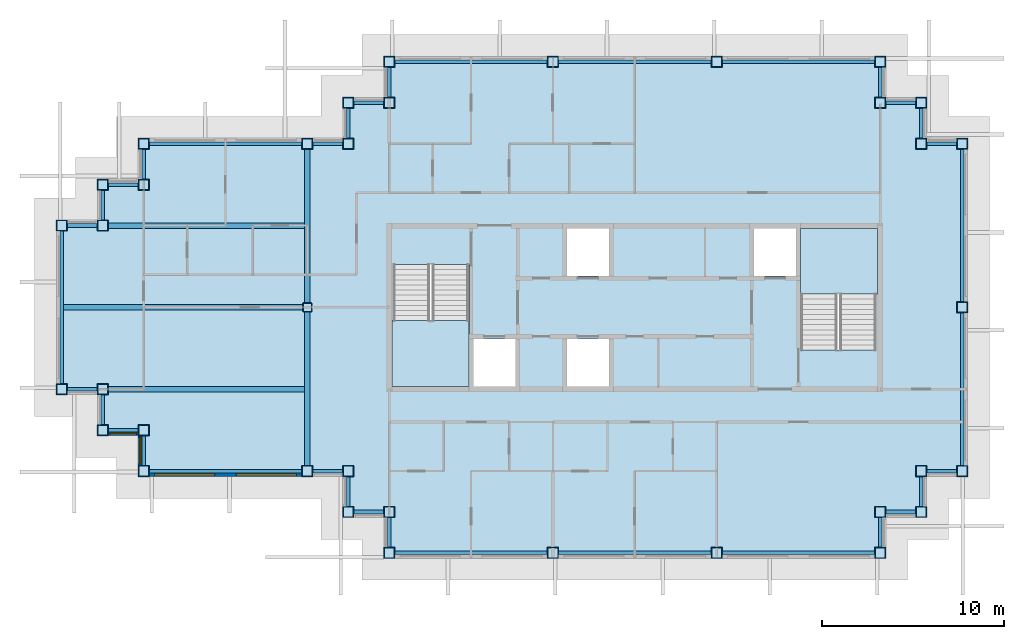
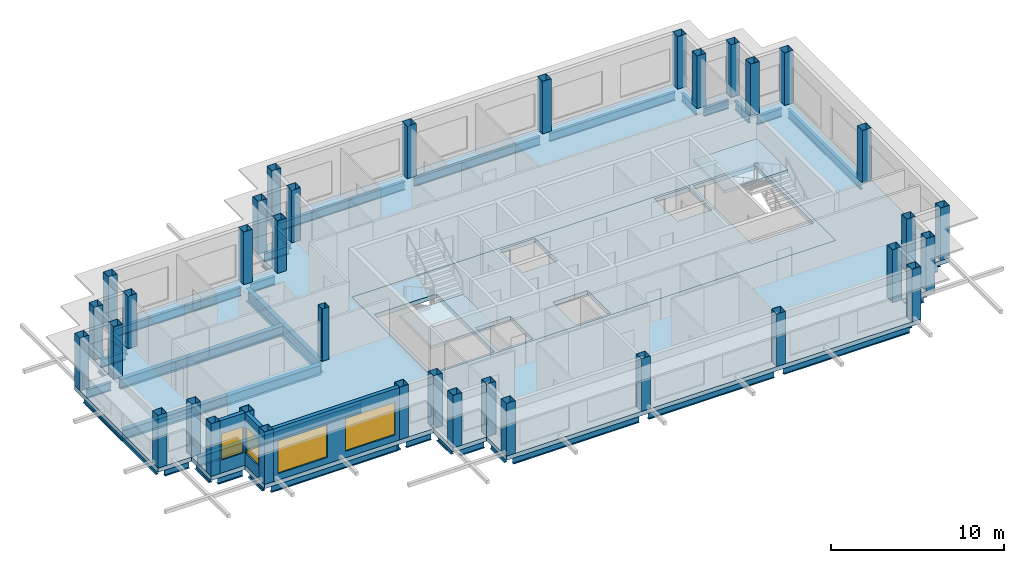
# One storey, part 1 of 11: 40 beams, 36 columns, 4 slabs, 4 windows, 3 walls, 4 openings, 2 elements without a shape of their own.
"""IFC4 building model written with IfcOpenShell, lengths in metres."""

from ifc_helpers import new_model, si_unit, direction, frame, frame_2d, origin, origin_2d, place, context, subcontext, project, spatial, polyline, rectangle, hollow_rectangle, i_section, outline, extrude, material, layer, layer_set, material_profile, profile_set, type_object, element, fill, aggregate, save


model = new_model("IFC4")

# Units and contexts
model_context = context("Model", 3, precision=1e-05, world=origin(), true_north=direction((0.0, 1.0)))
body_context = subcontext(model_context, "Body", "Model", "MODEL_VIEW")
ifc_project = project(units=[si_unit("LENGTHUNIT", "METRE"), si_unit("AREAUNIT", "SQUARE_METRE"), si_unit("VOLUMEUNIT", "CUBIC_METRE"), si_unit("PLANEANGLEUNIT", "RADIAN"), si_unit("MASSUNIT", "GRAM", prefix="KILO")], contexts=[model_context])

# Site, building, storey
site_placement = place(None, origin())
site = spatial("IfcSite", under=ifc_project, at=site_placement, CompositionType="ELEMENT")
building_placement = place(site_placement, origin())
building = spatial("IfcBuilding", under=site, at=building_placement, Name="Caravel Reach Hotel and Residences", CompositionType="ELEMENT")
storey_placement = place(building_placement, frame((0.0, 0.0, 249.0)))
storey = spatial("IfcBuildingStorey", under=building, at=storey_placement, Name="L63", CompositionType="ELEMENT", Elevation=249.0)

# Columns
ifc_material_1 = material(Name="Concrete-filled steel tube Q390B with Concrete C60 infill", Category="concrete")
ifc_material_profile_1 = material_profile(ifc_material_1, hollow_rectangle(XDim=0.5, YDim=0.5, WallThickness=0.01611328125, InnerFilletRadius=0.031982421875, OuterFilletRadius=0.048095703125, at=origin_2d()), Name="RHS 500x500x16")
ifc_profile_set_1 = profile_set([ifc_material_profile_1], Name="Concrete-filled steel tube Q390B with Concrete C60 infill")
column_type_1 = type_object("IfcColumnType", Name="CFT 500x500 Q390B C60", PredefinedType="COLUMN", material=ifc_profile_set_1)
column_placement = place(storey_placement, frame((13.5, 27.0, 0.0), z_axis=(0.0, 0.0, 1.0), x_axis=(1.0, 0.0, 0.0)))
element("IfcColumn", 1, at=column_placement, inside=storey, type_object=column_type_1, Name="C9 column", PredefinedType="COLUMN", context=body_context, shape_type="SweptSolid", body=[
    extrude(hollow_rectangle(XDim=0.5, YDim=0.5, WallThickness=0.01611328125, InnerFilletRadius=0.031982421875, OuterFilletRadius=0.048095703125, at=origin_2d()), origin(), (0.0, 0.0, 1.0), 3.699951171875),
])
ifc_material_2 = material(Name="Concrete-filled steel tube Q390B with Concrete C60 infill", Category="concrete")
ifc_material_profile_2 = material_profile(ifc_material_2, hollow_rectangle(XDim=0.60009765625, YDim=0.60009765625, WallThickness=0.02001953125, at=origin_2d()), Name="RHS 600x600x20")
ifc_profile_set_2 = profile_set([ifc_material_profile_2], Name="Concrete-filled steel tube Q390B with Concrete C60 infill")
column_type_2 = type_object("IfcColumnType", Name="CFT 600x600 Q390B C60", PredefinedType="COLUMN", material=ifc_profile_set_2)
for number, where, z_axis, x_axis, name in (
    (2, (15.75, 18.0, 0.0), (0.0, 0.0, 1.0), (1.0, 0.0, 0.0), "C8 column"),
    (3, (15.75, 15.75, 0.0), (0.0, 0.0, 1.0), (1.0, 0.0, 0.0), "C8 column"),
    (4, (18.0, 15.75, 0.0), (0.0, 0.0, 1.0), (1.0, 0.0, 0.0), "C8 column"),
    (5, (18.0, 13.5, 0.0), (0.0, 0.0, 1.0), (1.0, 0.0, 0.0), "C8 column"),
    (6, (27.0, 13.5, 0.0), (0.0, 0.0, 1.0), (1.0, 0.0, 0.0), "C8 column"),
    (7, (36.0, 13.5, 0.0), (0.0, 0.0, 1.0), (1.0, 0.0, 0.0), "C8 column"),
    (8, (45.0, 13.5, 0.0), (0.0, 0.0, 1.0), (1.0, 0.0, 0.0), "C8 column"),
    (9, (45.0, 15.75, 0.0), (0.0, 0.0, 1.0), (1.0, 0.0, 0.0), "C8 column"),
    (10, (47.25, 15.75, 0.0), (0.0, 0.0, 1.0), (1.0, 0.0, 0.0), "C8 column"),
    (11, (47.25, 18.0, 0.0), (0.0, 0.0, 1.0), (1.0, 0.0, 0.0), "C8 column"),
    (12, (49.5, 18.0, 0.0), (0.0, 0.0, 1.0), (1.0, 0.0, 0.0), "C8 column"),
    (13, (49.5, 27.0, 0.0), (0.0, 0.0, 1.0), (1.0, 0.0, 0.0), "C8 column"),
    (14, (49.5, 36.0, 0.0), (0.0, 0.0, 1.0), (1.0, 0.0, 0.0), "C8 column"),
    (15, (47.25, 36.0, 0.0), (0.0, 0.0, 1.0), (1.0, 0.0, 0.0), "C8 column"),
    (16, (47.25, 38.25, 0.0), (0.0, 0.0, 1.0), (1.0, 0.0, 0.0), "C8 column"),
    (17, (45.0, 38.25, 0.0), (0.0, 0.0, 1.0), (1.0, 0.0, 0.0), "C8 column"),
    (18, (45.0, 40.5, 0.0), (0.0, 0.0, 1.0), (1.0, 0.0, 0.0), "C8 column"),
    (19, (36.0, 40.5, 0.0), (0.0, 0.0, 1.0), (1.0, 0.0, 0.0), "C8 column"),
    (20, (27.0, 40.5, 0.0), (0.0, 0.0, 1.0), (1.0, 0.0, 0.0), "C8 column"),
    (21, (18.0, 40.5, 0.0), (0.0, 0.0, 1.0), (1.0, 0.0, 0.0), "C8 column"),
    (22, (18.0, 38.25, 0.0), (0.0, 0.0, 1.0), (1.0, 0.0, 0.0), "C8 column"),
    (23, (15.75, 38.25, 0.0), (0.0, 0.0, 1.0), (1.0, 0.0, 0.0), "C8 column"),
    (24, (15.75, 36.0, 0.0), (0.0, 0.0, 1.0), (1.0, 0.0, 0.0), "C8 column"),
    (25, (13.5, 36.0, 0.0), (0.0, 0.0, 1.0), (1.0, 0.0, 0.0), "C8 column"),
    (26, (4.5, 36.0, 0.0), (0.0, 0.0, 1.0), (1.0, 0.0, 0.0), "C8 column"),
    (27, (4.5, 33.75, 0.0), (0.0, 0.0, 1.0), (1.0, 0.0, 0.0), "C8 column"),
    (28, (2.25, 33.75, 0.0), (0.0, 0.0, 1.0), (1.0, 0.0, 0.0), "C8 column"),
    (29, (2.25, 31.5, 0.0), (0.0, 0.0, 1.0), (1.0, 0.0, 0.0), "C8 column"),
    (30, (0.0, 31.5, 0.0), (0.0, 0.0, 1.0), (1.0, 0.0, 0.0), "C8 column"),
    (31, (0.0, 22.5, 0.0), (0.0, 0.0, 1.0), (1.0, 0.0, 0.0), "C8 column"),
    (32, (2.25, 22.5, 0.0), (0.0, 0.0, 1.0), (1.0, 0.0, 0.0), "C8 column"),
    (33, (2.25, 20.25, 0.0), (0.0, 0.0, 1.0), (1.0, 0.0, 0.0), "C8 column"),
    (34, (4.5, 20.25, 0.0), (0.0, 0.0, 1.0), (1.0, 0.0, 0.0), "C8 column"),
    (35, (4.5, 18.0, 0.0), (0.0, 0.0, 1.0), (1.0, 0.0, 0.0), "C8 column"),
    (36, (13.5, 18.0, 0.0), (0.0, 0.0, 1.0), (1.0, 0.0, 0.0), "C8 column"),
):
    element("IfcColumn", number, at=place(storey_placement, frame(where, z_axis=z_axis, x_axis=x_axis)), inside=storey, type_object=column_type_2, Name=name, PredefinedType="COLUMN", context=body_context, shape_type="SweptSolid", body=[
        extrude(hollow_rectangle(XDim=0.60009765625, YDim=0.60009765625, WallThickness=0.02001953125, at=origin_2d()), origin(), (0.0, 0.0, 1.0), 3.699951171875),
    ])

# Beams
ifc_material_3 = material(Name="Structural steel Q355B", Category="steel")
ifc_material_profile_3 = material_profile(ifc_material_3, i_section(OverallWidth=0.300048828125, OverallDepth=0.699951171875, WebThickness=0.012939453125, FlangeThickness=0.02392578125, FilletRadius=0.01806640625, at=origin_2d()), Name="HN 700x300x13x24")
ifc_profile_set_3 = profile_set([ifc_material_profile_3], Name="Structural steel Q355B")
beam_type_1 = type_object("IfcBeamType", Name="Beam HN 700x300x13x24", PredefinedType="BEAM", material=ifc_profile_set_3)
beam_1_placement = place(storey_placement, frame((13.39990234375, 22.5, -0.64990234375), z_axis=(-1.0, 0.0, 0.0), x_axis=(0.0, -1.0, 0.0)))
element("IfcBeam", 37, at=beam_1_placement, inside=storey, type_object=beam_type_1, Name="B2 HN 700x300x13x24", PredefinedType="BEAM", context=body_context, shape_type="SweptSolid", body=[
    extrude(i_section(OverallWidth=0.300048828125, OverallDepth=0.699951171875, WebThickness=0.012939453125, FlangeThickness=0.02392578125, FilletRadius=0.01806640625, at=origin_2d()), origin(), (0.0, 0.0, 1.0), 10.89990234375),
])
beam_2_placement = place(storey_placement, frame((13.300048828125, 27.0, -0.64990234375), z_axis=(-1.0, 0.0, 0.0), x_axis=(0.0, -1.0, 0.0)))
element("IfcBeam", 38, at=beam_2_placement, inside=storey, type_object=beam_type_1, Name="B2 HN 700x300x13x24", PredefinedType="BEAM", context=body_context, shape_type="SweptSolid", body=[
    extrude(i_section(OverallWidth=0.300048828125, OverallDepth=0.699951171875, WebThickness=0.012939453125, FlangeThickness=0.02392578125, FilletRadius=0.01806640625, at=origin_2d()), origin(), (0.0, 0.0, 1.0), 13.199951171875),
])
beam_3_placement = place(storey_placement, frame((13.39990234375, 31.5, -0.64990234375), z_axis=(-1.0, 0.0, 0.0), x_axis=(0.0, -1.0, 0.0)))
element("IfcBeam", 39, at=beam_3_placement, inside=storey, type_object=beam_type_1, Name="B2 HN 700x300x13x24", PredefinedType="BEAM", context=body_context, shape_type="SweptSolid", body=[
    extrude(i_section(OverallWidth=0.300048828125, OverallDepth=0.699951171875, WebThickness=0.012939453125, FlangeThickness=0.02392578125, FilletRadius=0.01806640625, at=origin_2d()), origin(), (0.0, 0.0, 1.0), 10.89990234375),
])
ifc_material_4 = material(Name="Structural steel Q355B", Category="steel")
ifc_material_profile_4 = material_profile(ifc_material_4, i_section(OverallWidth=0.300048828125, OverallDepth=0.89990234375, WebThickness=0.01611328125, FlangeThickness=0.028076171875, FilletRadius=0.01806640625, at=origin_2d()), Name="HN 900x300x16x28")
ifc_profile_set_4 = profile_set([ifc_material_profile_4], Name="Structural steel Q355B")
beam_type_2 = type_object("IfcBeamType", Name="Beam HN 900x300x16x28", PredefinedType="BEAM", material=ifc_profile_set_4)
for number, where, z_axis, x_axis, name in (
    (40, (13.5, 18.300048828125, -0.75), (0.0, 1.0, 0.0), (-1.0, 0.0, 0.0), "B3 HN 900x300x16x28"),
    (41, (13.5, 27.25, -0.75), (0.0, 1.0, 0.0), (-1.0, 0.0, 0.0), "B3 HN 900x300x16x28"),
):
    element("IfcBeam", number, at=place(storey_placement, frame(where, z_axis=z_axis, x_axis=x_axis)), inside=storey, type_object=beam_type_2, Name=name, PredefinedType="BEAM", context=body_context, shape_type="SweptSolid", body=[
        extrude(i_section(OverallWidth=0.300048828125, OverallDepth=0.89990234375, WebThickness=0.01611328125, FlangeThickness=0.028076171875, FilletRadius=0.01806640625, at=origin_2d()), origin(), (0.0, 0.0, 1.0), 8.449951171875),
    ])
ifc_material_5 = material(Name="Structural steel Q355B", Category="steel")
ifc_material_profile_5 = material_profile(ifc_material_5, i_section(OverallWidth=0.199951171875, OverallDepth=0.60009765625, WebThickness=0.010986328125, FlangeThickness=0.01708984375, FilletRadius=0.012939453125, at=origin_2d()), Name="HN 600x200x11x17")
ifc_profile_set_5 = profile_set([ifc_material_profile_5], Name="Structural steel Q355B")
beam_type_3 = type_object("IfcBeamType", Name="Spandrel beam HN 600x200x11x17", PredefinedType="SPANDREL", material=ifc_profile_set_5)
for number, where, z_axis, x_axis, name in (
    (42, (15.75, 17.699951171875, -0.60009765625), (0.0, -1.0, 0.0), (1.0, 0.0, 0.0), "SP1 HN 600x200x11x17"),
    (43, (16.050048828125, 15.75, -0.60009765625), (1.0, 0.0, 0.0), (0.0, 1.0, 0.0), "SP1 HN 600x200x11x17"),
    (44, (18.0, 15.449951171875, -0.60009765625), (0.0, -1.0, 0.0), (1.0, 0.0, 0.0), "SP1 HN 600x200x11x17"),
):
    element("IfcBeam", number, at=place(storey_placement, frame(where, z_axis=z_axis, x_axis=x_axis)), inside=storey, type_object=beam_type_3, Name=name, PredefinedType="SPANDREL", context=body_context, shape_type="SweptSolid", body=[
        extrude(i_section(OverallWidth=0.199951171875, OverallDepth=0.60009765625, WebThickness=0.010986328125, FlangeThickness=0.01708984375, FilletRadius=0.012939453125, at=origin_2d()), origin(), (0.0, 0.0, 1.0), 1.64990234375),
    ])
for number, where, z_axis, x_axis, name in (
    (45, (18.300048828125, 13.5, -0.60009765625), (1.0, 0.0, 0.0), (0.0, 1.0, 0.0), "SP1 HN 600x200x11x17"),
    (46, (27.300048828125, 13.5, -0.60009765625), (1.0, 0.0, 0.0), (0.0, 1.0, 0.0), "SP1 HN 600x200x11x17"),
    (47, (36.300048828125, 13.5, -0.60009765625), (1.0, 0.0, 0.0), (0.0, 1.0, 0.0), "SP1 HN 600x200x11x17"),
):
    element("IfcBeam", number, at=place(storey_placement, frame(where, z_axis=z_axis, x_axis=x_axis)), inside=storey, type_object=beam_type_3, Name=name, PredefinedType="SPANDREL", context=body_context, shape_type="SweptSolid", body=[
        extrude(i_section(OverallWidth=0.199951171875, OverallDepth=0.60009765625, WebThickness=0.010986328125, FlangeThickness=0.01708984375, FilletRadius=0.012939453125, at=origin_2d()), origin(), (0.0, 0.0, 1.0), 8.39990234375),
    ])
for number, where, z_axis, x_axis, name in (
    (48, (45.0, 13.800048828125, -0.60009765625), (0.0, 1.0, 0.0), (-1.0, 0.0, 0.0), "SP1 HN 600x200x11x17"),
    (49, (45.300048828125, 15.75, -0.60009765625), (1.0, 0.0, 0.0), (0.0, 1.0, 0.0), "SP1 HN 600x200x11x17"),
    (50, (47.25, 16.050048828125, -0.60009765625), (0.0, 1.0, 0.0), (-1.0, 0.0, 0.0), "SP1 HN 600x200x11x17"),
    (51, (47.550048828125, 18.0, -0.60009765625), (1.0, 0.0, 0.0), (0.0, 1.0, 0.0), "SP1 HN 600x200x11x17"),
):
    element("IfcBeam", number, at=place(storey_placement, frame(where, z_axis=z_axis, x_axis=x_axis)), inside=storey, type_object=beam_type_3, Name=name, PredefinedType="SPANDREL", context=body_context, shape_type="SweptSolid", body=[
        extrude(i_section(OverallWidth=0.199951171875, OverallDepth=0.60009765625, WebThickness=0.010986328125, FlangeThickness=0.01708984375, FilletRadius=0.012939453125, at=origin_2d()), origin(), (0.0, 0.0, 1.0), 1.64990234375),
    ])
for number, where, z_axis, x_axis, name in (
    (52, (49.5, 18.300048828125, -0.60009765625), (0.0, 1.0, 0.0), (-1.0, 0.0, 0.0), "SP1 HN 600x200x11x17"),
    (53, (49.5, 27.300048828125, -0.60009765625), (0.0, 1.0, 0.0), (-1.0, 0.0, 0.0), "SP1 HN 600x200x11x17"),
):
    element("IfcBeam", number, at=place(storey_placement, frame(where, z_axis=z_axis, x_axis=x_axis)), inside=storey, type_object=beam_type_3, Name=name, PredefinedType="SPANDREL", context=body_context, shape_type="SweptSolid", body=[
        extrude(i_section(OverallWidth=0.199951171875, OverallDepth=0.60009765625, WebThickness=0.010986328125, FlangeThickness=0.01708984375, FilletRadius=0.012939453125, at=origin_2d()), origin(), (0.0, 0.0, 1.0), 8.39990234375),
    ])
for number, where, z_axis, x_axis, name in (
    (54, (49.199951171875, 36.0, -0.60009765625), (-1.0, 0.0, 0.0), (0.0, -1.0, 0.0), "SP1 HN 600x200x11x17"),
    (55, (47.25, 36.300048828125, -0.60009765625), (0.0, 1.0, 0.0), (-1.0, 0.0, 0.0), "SP1 HN 600x200x11x17"),
    (56, (46.949951171875, 38.25, -0.60009765625), (-1.0, 0.0, 0.0), (0.0, -1.0, 0.0), "SP1 HN 600x200x11x17"),
    (57, (45.0, 38.550048828125, -0.60009765625), (0.0, 1.0, 0.0), (-1.0, 0.0, 0.0), "SP1 HN 600x200x11x17"),
):
    element("IfcBeam", number, at=place(storey_placement, frame(where, z_axis=z_axis, x_axis=x_axis)), inside=storey, type_object=beam_type_3, Name=name, PredefinedType="SPANDREL", context=body_context, shape_type="SweptSolid", body=[
        extrude(i_section(OverallWidth=0.199951171875, OverallDepth=0.60009765625, WebThickness=0.010986328125, FlangeThickness=0.01708984375, FilletRadius=0.012939453125, at=origin_2d()), origin(), (0.0, 0.0, 1.0), 1.64990234375),
    ])
for number, where, z_axis, x_axis, name in (
    (58, (44.699951171875, 40.5, -0.60009765625), (-1.0, 0.0, 0.0), (0.0, -1.0, 0.0), "SP1 HN 600x200x11x17"),
    (59, (35.699951171875, 40.5, -0.60009765625), (-1.0, 0.0, 0.0), (0.0, -1.0, 0.0), "SP1 HN 600x200x11x17"),
    (60, (26.699951171875, 40.5, -0.60009765625), (-1.0, 0.0, 0.0), (0.0, -1.0, 0.0), "SP1 HN 600x200x11x17"),
):
    element("IfcBeam", number, at=place(storey_placement, frame(where, z_axis=z_axis, x_axis=x_axis)), inside=storey, type_object=beam_type_3, Name=name, PredefinedType="SPANDREL", context=body_context, shape_type="SweptSolid", body=[
        extrude(i_section(OverallWidth=0.199951171875, OverallDepth=0.60009765625, WebThickness=0.010986328125, FlangeThickness=0.01708984375, FilletRadius=0.012939453125, at=origin_2d()), origin(), (0.0, 0.0, 1.0), 8.39990234375),
    ])
for number, where, z_axis, x_axis, name in (
    (61, (18.0, 40.199951171875, -0.60009765625), (0.0, -1.0, 0.0), (1.0, 0.0, 0.0), "SP1 HN 600x200x11x17"),
    (62, (17.699951171875, 38.25, -0.60009765625), (-1.0, 0.0, 0.0), (0.0, -1.0, 0.0), "SP1 HN 600x200x11x17"),
    (63, (15.75, 37.949951171875, -0.60009765625), (0.0, -1.0, 0.0), (1.0, 0.0, 0.0), "SP1 HN 600x200x11x17"),
    (64, (15.449951171875, 36.0, -0.60009765625), (-1.0, 0.0, 0.0), (0.0, -1.0, 0.0), "SP1 HN 600x200x11x17"),
):
    element("IfcBeam", number, at=place(storey_placement, frame(where, z_axis=z_axis, x_axis=x_axis)), inside=storey, type_object=beam_type_3, Name=name, PredefinedType="SPANDREL", context=body_context, shape_type="SweptSolid", body=[
        extrude(i_section(OverallWidth=0.199951171875, OverallDepth=0.60009765625, WebThickness=0.010986328125, FlangeThickness=0.01708984375, FilletRadius=0.012939453125, at=origin_2d()), origin(), (0.0, 0.0, 1.0), 1.64990234375),
    ])
beam_4_placement = place(storey_placement, frame((13.199951171875, 36.0, -0.60009765625), z_axis=(-1.0, 0.0, 0.0), x_axis=(0.0, -1.0, 0.0)))
element("IfcBeam", 65, at=beam_4_placement, inside=storey, type_object=beam_type_3, Name="SP1 HN 600x200x11x17", PredefinedType="SPANDREL", context=body_context, shape_type="SweptSolid", body=[
    extrude(i_section(OverallWidth=0.199951171875, OverallDepth=0.60009765625, WebThickness=0.010986328125, FlangeThickness=0.01708984375, FilletRadius=0.012939453125, at=origin_2d()), origin(), (0.0, 0.0, 1.0), 8.39990234375),
])
for number, where, z_axis, x_axis, name in (
    (66, (4.5, 35.699951171875, -0.60009765625), (0.0, -1.0, 0.0), (1.0, 0.0, 0.0), "SP1 HN 600x200x11x17"),
    (67, (4.199951171875, 33.75, -0.60009765625), (-1.0, 0.0, 0.0), (0.0, -1.0, 0.0), "SP1 HN 600x200x11x17"),
    (68, (2.25, 33.449951171875, -0.60009765625), (0.0, -1.0, 0.0), (1.0, 0.0, 0.0), "SP1 HN 600x200x11x17"),
    (69, (1.949951171875, 31.5, -0.60009765625), (-1.0, 0.0, 0.0), (0.0, -1.0, 0.0), "SP1 HN 600x200x11x17"),
):
    element("IfcBeam", number, at=place(storey_placement, frame(where, z_axis=z_axis, x_axis=x_axis)), inside=storey, type_object=beam_type_3, Name=name, PredefinedType="SPANDREL", context=body_context, shape_type="SweptSolid", body=[
        extrude(i_section(OverallWidth=0.199951171875, OverallDepth=0.60009765625, WebThickness=0.010986328125, FlangeThickness=0.01708984375, FilletRadius=0.012939453125, at=origin_2d()), origin(), (0.0, 0.0, 1.0), 1.64990234375),
    ])
beam_5_placement = place(storey_placement, frame((0.0, 31.199951171875, -0.60009765625), z_axis=(0.0, -1.0, 0.0), x_axis=(1.0, 0.0, 0.0)))
element("IfcBeam", 70, at=beam_5_placement, inside=storey, type_object=beam_type_3, Name="SP1 HN 600x200x11x17", PredefinedType="SPANDREL", context=body_context, shape_type="SweptSolid", body=[
    extrude(i_section(OverallWidth=0.199951171875, OverallDepth=0.60009765625, WebThickness=0.010986328125, FlangeThickness=0.01708984375, FilletRadius=0.012939453125, at=origin_2d()), origin(), (0.0, 0.0, 1.0), 8.39990234375),
])
for number, where, z_axis, x_axis, name in (
    (71, (0.300048828125, 22.5, -0.60009765625), (1.0, 0.0, 0.0), (0.0, 1.0, 0.0), "SP1 HN 600x200x11x17"),
    (72, (2.25, 22.199951171875, -0.60009765625), (0.0, -1.0, 0.0), (1.0, 0.0, 0.0), "SP1 HN 600x200x11x17"),
    (73, (2.550048828125, 20.25, -0.60009765625), (1.0, 0.0, 0.0), (0.0, 1.0, 0.0), "SP1 HN 600x200x11x17"),
    (74, (4.5, 19.949951171875, -0.60009765625), (0.0, -1.0, 0.0), (1.0, 0.0, 0.0), "SP1 HN 600x200x11x17"),
):
    element("IfcBeam", number, at=place(storey_placement, frame(where, z_axis=z_axis, x_axis=x_axis)), inside=storey, type_object=beam_type_3, Name=name, PredefinedType="SPANDREL", context=body_context, shape_type="SweptSolid", body=[
        extrude(i_section(OverallWidth=0.199951171875, OverallDepth=0.60009765625, WebThickness=0.010986328125, FlangeThickness=0.01708984375, FilletRadius=0.012939453125, at=origin_2d()), origin(), (0.0, 0.0, 1.0), 1.64990234375),
    ])
beam_6_placement = place(storey_placement, frame((4.800048828125, 18.0, -0.60009765625), z_axis=(1.0, 0.0, 0.0), x_axis=(0.0, 1.0, 0.0)))
element("IfcBeam", 75, at=beam_6_placement, inside=storey, type_object=beam_type_3, Name="SP1 HN 600x200x11x17", PredefinedType="SPANDREL", context=body_context, shape_type="SweptSolid", body=[
    extrude(i_section(OverallWidth=0.199951171875, OverallDepth=0.60009765625, WebThickness=0.010986328125, FlangeThickness=0.01708984375, FilletRadius=0.012939453125, at=origin_2d()), origin(), (0.0, 0.0, 1.0), 8.39990234375),
])
beam_7_placement = place(storey_placement, frame((13.800048828125, 18.0, -0.60009765625), z_axis=(1.0, 0.0, 0.0), x_axis=(0.0, 1.0, 0.0)))
element("IfcBeam", 76, at=beam_7_placement, inside=storey, type_object=beam_type_3, Name="SP1 HN 600x200x11x17", PredefinedType="SPANDREL", context=body_context, shape_type="SweptSolid", body=[
    extrude(i_section(OverallWidth=0.199951171875, OverallDepth=0.60009765625, WebThickness=0.010986328125, FlangeThickness=0.01708984375, FilletRadius=0.012939453125, at=origin_2d()), origin(), (0.0, 0.0, 1.0), 1.64990234375),
])

# Slab
ifc_material_6 = material(Name="Concrete C40", Category="concrete")
ifc_layer_1 = layer(ifc_material_6, 0.300048828125)
ifc_layer_set_1 = layer_set([ifc_layer_1], Name="Core floor slab 300 mm")
slab_type_1 = type_object("IfcSlabType", Name="Core floor slab 300 mm", PredefinedType="FLOOR", material=ifc_layer_set_1)
slab_1_placement = place(storey_placement, frame((0.0, 0.0, -0.300048828125)))
element("IfcSlab", 77, at=slab_1_placement, inside=storey, type_object=slab_type_1, Name="L63 core floor", PredefinedType="FLOOR", context=body_context, shape_type="SweptSolid", body=[
    extrude(outline(polyline([(18.0, 31.5), (45.0, 31.5), (45.0, 22.5), (18.0, 22.5), (18.0, 31.5)]), holes=[polyline([(22.625, 22.64990234375), (24.9462890625, 22.64990234375), (24.9462890625, 25.27490234375), (22.625, 25.27490234375), (22.625, 22.64990234375)]), polyline([(27.767822265625, 25.27490234375), (27.767822265625, 22.64990234375), (30.08935546875, 22.64990234375), (30.08935546875, 25.27490234375), (27.767822265625, 25.27490234375)]), polyline([(22.375, 22.64990234375), (22.375, 29.35009765625), (18.22509765625, 29.35009765625), (18.22509765625, 22.64990234375), (22.375, 22.64990234375)]), polyline([(40.625, 24.64990234375), (44.77490234375, 24.64990234375), (44.77490234375, 31.35009765625), (40.625, 31.35009765625), (40.625, 24.64990234375)]), polyline([(27.767822265625, 31.35009765625), (27.767822265625, 28.72509765625), (30.08935546875, 28.72509765625), (30.08935546875, 31.35009765625), (27.767822265625, 31.35009765625)]), polyline([(38.0537109375, 31.35009765625), (38.0537109375, 28.72509765625), (40.375, 28.72509765625), (40.375, 31.35009765625), (38.0537109375, 31.35009765625)])]), origin(), (0.0, 0.0, 1.0), 0.300048828125),
])

# Stair, slab
ifc_material_7 = material(Name="Concrete C40", Category="concrete")
stair_type = type_object("IfcStairType", Name="Core stair", PredefinedType="HALF_TURN_STAIR", material=ifc_material_7)
stair_1_placement = place(storey_placement, origin())
stair_1 = element("IfcStair", 78, at=stair_1_placement, inside=storey, type_object=stair_type, Name="L63 Exit stair A", PredefinedType="HALF_TURN_STAIR")
ifc_material_8 = material(Name="Concrete C40", Category="concrete")
ifc_layer_2 = layer(ifc_material_8, 0.199951171875)
ifc_layer_set_2 = layer_set([ifc_layer_2], Name="Core stair landing")
slab_type_2 = type_object("IfcSlabType", Name="Core stair landing", PredefinedType="LANDING", material=ifc_layer_set_2)
slab_2_placement = place(storey_placement, frame((0.0, 0.0, 1.64990234375)))
slab_2 = element("IfcSlab", 79, at=slab_2_placement, type_object=slab_type_2, Name="ST-A landing 1", PredefinedType="LANDING", context=body_context, shape_type="SweptSolid", body=[
    extrude(outline(polyline([(18.14990234375, 26.27001953125), (18.14990234375, 22.64990234375), (22.375, 22.64990234375), (22.375, 26.27001953125), (18.14990234375, 26.27001953125)])), origin(), (0.0, 0.0, 1.0), 0.2001953125),
])
aggregate(stair_1, [slab_2])

stair_2_placement = place(storey_placement, origin())
stair_2 = element("IfcStair", 80, at=stair_2_placement, inside=storey, type_object=stair_type, Name="L63 Exit stair B", PredefinedType="HALF_TURN_STAIR")
slab_3_placement = place(storey_placement, frame((0.0, 0.0, 1.64990234375)))
slab_3 = element("IfcSlab", 81, at=slab_3_placement, type_object=slab_type_2, Name="ST-B landing 1", PredefinedType="LANDING", context=body_context, shape_type="SweptSolid", body=[
    extrude(outline(polyline([(44.85009765625, 27.72998046875), (44.85009765625, 31.35009765625), (40.625, 31.35009765625), (40.625, 27.72998046875), (44.85009765625, 27.72998046875)])), origin(), (0.0, 0.0, 1.0), 0.2001953125),
])
aggregate(stair_2, [slab_3])

# Slab
ifc_material_9 = material(Name="Concrete C40 post-tensioned", Category="concrete")
ifc_layer_3 = layer(ifc_material_9, 0.300048828125)
ifc_layer_set_3 = layer_set([ifc_layer_3], Name="Floor slab 300")
slab_type_3 = type_object("IfcSlabType", Name="Floor slab 300", PredefinedType="FLOOR", material=ifc_layer_set_3)
slab_4_placement = place(storey_placement, frame((0.0, 0.0, -0.300048828125)))
element("IfcSlab", 82, at=slab_4_placement, inside=storey, type_object=slab_type_3, Name="S2 slab L63", PredefinedType="FLOOR", context=body_context, shape_type="SweptSolid", body=[
    extrude(outline(polyline([(4.199951171875, 19.949951171875), (1.949951171875, 19.949951171875), (1.949951171875, 22.199951171875), (-0.300048828125, 22.199951171875), (-0.300048828125, 31.800048828125), (1.949951171875, 31.800048828125), (1.949951171875, 34.050048828125), (4.199951171875, 34.050048828125), (4.199951171875, 36.300048828125), (15.449951171875, 36.300048828125), (15.449951171875, 38.550048828125), (17.699951171875, 38.550048828125), (17.699951171875, 40.800048828125), (45.300048828125, 40.800048828125), (45.300048828125, 38.550048828125), (47.550048828125, 38.550048828125), (47.550048828125, 36.300048828125), (49.800048828125, 36.300048828125), (49.800048828125, 17.699951171875), (47.550048828125, 17.699951171875), (47.550048828125, 15.449951171875), (45.300048828125, 15.449951171875), (45.300048828125, 13.199951171875), (17.699951171875, 13.199951171875), (17.699951171875, 15.449951171875), (15.449951171875, 15.449951171875), (15.449951171875, 17.699951171875), (4.199951171875, 17.699951171875), (4.199951171875, 19.949951171875)]), holes=[polyline([(45.0, 31.5), (18.0, 31.5), (18.0, 22.5), (45.0, 22.5), (45.0, 31.5)])]), origin(), (0.0, 0.0, 1.0), 0.300048828125),
])

# Wall, opening, window
ifc_material_10 = material(Name="Insulated rainscreen wall, aluminium cladding", Category="aluminium")
ifc_layer_4 = layer(ifc_material_10, 0.25)
ifc_layer_set_4 = layer_set([ifc_layer_4], Name="EW1 Tower rainscreen wall")
wall_type = type_object("IfcWallType", Name="EW1 Tower rainscreen wall", PredefinedType="SOLIDWALL", material=ifc_layer_set_4)
wall_1_placement = place(storey_placement, frame((2.550048828125, 20.074951171875, 0.0), z_axis=(0.0, 0.0, 1.0), x_axis=(1.0, 0.0, 0.0)))
wall_1 = element("IfcWall", 83, at=wall_1_placement, inside=storey, type_object=wall_type, Name="External wall L63 S26.1", PredefinedType="SOLIDWALL", context=body_context, shape_type="SweptSolid", body=[
    extrude(rectangle(XDim=1.64990234375, YDim=0.25, at=frame_2d((0.824951171875, 0.0))), origin(), (0.0, 0.0, 1.0), 3.699951171875),
])
opening_1_placement = place(wall_1_placement, frame((0.10009765625, 0.0, 0.89990234375)))
opening_1 = element("IfcOpeningElement", 84, at=opening_1_placement, cuts=wall_1, Name="Opening WN25", PredefinedType="OPENING", context=body_context, shape_type="SweptSolid", body=[
    extrude(rectangle(XDim=1.449951171875, YDim=1.85009765625, at=frame_2d((0.72509765625, 0.925048828125))), frame((0.0, 0.135009765625, 0.0), z_axis=(0.0, -1.0, 0.0), x_axis=(1.0, 0.0, 0.0)), (0.0, 0.0, 1.0), 0.27001953125),
])
ifc_material_11 = material(Name="Dark low-e glazing in black aluminium frame", Category="aluminium")
window_type_1 = type_object("IfcWindowType", Name="Residence bedroom window 1450 x 1850", PartitioningType="SINGLE_PANEL", PredefinedType="WINDOW", material=ifc_material_11)
window_1_placement = place(opening_1_placement, origin())
window_1 = element("IfcWindow", 85, at=window_1_placement, inside=storey, type_object=window_type_1, Name="Window L63 S26.1.1", OverallHeight=1.85009765625, OverallWidth=1.449951171875, PartitioningType="SINGLE_PANEL", PredefinedType="WINDOW", context=body_context, shape_type="SweptSolid", body=[
    extrude(rectangle(XDim=1.449951171875, YDim=1.85009765625, at=frame_2d((0.72509765625, 0.925048828125))), frame((0.0, 0.030029296875, 0.0), z_axis=(0.0, -1.0, 0.0), x_axis=(1.0, 0.0, 0.0)), (0.0, 0.0, 1.0), 0.06005859375),
])
fill(opening_1, window_1)

wall_2_placement = place(storey_placement, frame((4.324951171875, 19.949951171875, 0.0), z_axis=(0.0, 0.0, 1.0), x_axis=(0.0, -1.0, 0.0)))
wall_2 = element("IfcWall", 86, at=wall_2_placement, inside=storey, type_object=wall_type, Name="External wall L63 W27.1", PredefinedType="SOLIDWALL", context=body_context, shape_type="SweptSolid", body=[
    extrude(rectangle(XDim=1.64990234375, YDim=0.25, at=frame_2d((0.824951171875, 0.0))), origin(), (0.0, 0.0, 1.0), 3.699951171875),
])
opening_2_placement = place(wall_2_placement, frame((0.10009765625, 0.0, 0.89990234375)))
opening_2 = element("IfcOpeningElement", 87, at=opening_2_placement, cuts=wall_2, Name="Opening WN25", PredefinedType="OPENING", context=body_context, shape_type="SweptSolid", body=[
    extrude(rectangle(XDim=1.449951171875, YDim=1.85009765625, at=frame_2d((0.72509765625, 0.925048828125))), frame((0.0, 0.135009765625, 0.0), z_axis=(0.0, -1.0, 0.0), x_axis=(1.0, 0.0, 0.0)), (0.0, 0.0, 1.0), 0.27001953125),
])
window_2_placement = place(opening_2_placement, origin())
window_2 = element("IfcWindow", 88, at=window_2_placement, inside=storey, type_object=window_type_1, Name="Window L63 W27.1.1", OverallHeight=1.85009765625, OverallWidth=1.449951171875, PartitioningType="SINGLE_PANEL", PredefinedType="WINDOW", context=body_context, shape_type="SweptSolid", body=[
    extrude(rectangle(XDim=1.449951171875, YDim=1.85009765625, at=frame_2d((0.72509765625, 0.925048828125))), frame((0.0, 0.030029296875, 0.0), z_axis=(0.0, -1.0, 0.0), x_axis=(1.0, 0.0, 0.0)), (0.0, 0.0, 1.0), 0.06005859375),
])
fill(opening_2, window_2)

# Wall, openings, windows
wall_3_placement = place(storey_placement, frame((4.800048828125, 17.824951171875, 0.0), z_axis=(0.0, 0.0, 1.0), x_axis=(1.0, 0.0, 0.0)))
wall_3 = element("IfcWall", 89, at=wall_3_placement, inside=storey, type_object=wall_type, Name="External wall L63 S28.1", PredefinedType="SOLIDWALL", context=body_context, shape_type="SweptSolid", body=[
    extrude(rectangle(XDim=8.39990234375, YDim=0.25, at=frame_2d((4.199951171875, 0.0))), origin(), (0.0, 0.0, 1.0), 3.699951171875),
])
opening_3_placement = place(wall_3_placement, frame((0.300048828125, 0.0, 0.449951171875)))
opening_3 = element("IfcOpeningElement", 90, at=opening_3_placement, cuts=wall_3, Name="Opening WN15", PredefinedType="OPENING", context=body_context, shape_type="SweptSolid", body=[
    extrude(rectangle(XDim=3.300048828125, YDim=2.300048828125, at=frame_2d((1.64990234375, 1.14990234375))), frame((0.0, 0.135009765625, 0.0), z_axis=(0.0, -1.0, 0.0), x_axis=(1.0, 0.0, 0.0)), (0.0, 0.0, 1.0), 0.27001953125),
])
opening_4_placement = place(wall_3_placement, frame((4.800048828125, 0.0, 0.449951171875)))
opening_4 = element("IfcOpeningElement", 91, at=opening_4_placement, cuts=wall_3, Name="Opening WN15", PredefinedType="OPENING", context=body_context, shape_type="SweptSolid", body=[
    extrude(rectangle(XDim=3.300048828125, YDim=2.300048828125, at=frame_2d((1.64990234375, 1.14990234375))), frame((0.0, 0.135009765625, 0.0), z_axis=(0.0, -1.0, 0.0), x_axis=(1.0, 0.0, 0.0)), (0.0, 0.0, 1.0), 0.27001953125),
])
ifc_material_12 = material(Name="Dark low-e glazing in black aluminium frame", Category="aluminium")
window_type_2 = type_object("IfcWindowType", Name="Residence living window 3300 x 2300", PartitioningType="SINGLE_PANEL", PredefinedType="WINDOW", material=ifc_material_12)
window_3_placement = place(opening_3_placement, origin())
window_3 = element("IfcWindow", 92, at=window_3_placement, inside=storey, type_object=window_type_2, Name="Window L63 S28.1.1", OverallHeight=2.300048828125, OverallWidth=3.300048828125, PartitioningType="SINGLE_PANEL", PredefinedType="WINDOW", context=body_context, shape_type="SweptSolid", body=[
    extrude(rectangle(XDim=3.300048828125, YDim=2.300048828125, at=frame_2d((1.64990234375, 1.14990234375))), frame((0.0, 0.030029296875, 0.0), z_axis=(0.0, -1.0, 0.0), x_axis=(1.0, 0.0, 0.0)), (0.0, 0.0, 1.0), 0.06005859375),
])
fill(opening_3, window_3)
window_4_placement = place(opening_4_placement, origin())
window_4 = element("IfcWindow", 93, at=window_4_placement, inside=storey, type_object=window_type_2, Name="Window L63 S28.1.2", OverallHeight=2.300048828125, OverallWidth=3.300048828125, PartitioningType="SINGLE_PANEL", PredefinedType="WINDOW", context=body_context, shape_type="SweptSolid", body=[
    extrude(rectangle(XDim=3.300048828125, YDim=2.300048828125, at=frame_2d((1.64990234375, 1.14990234375))), frame((0.0, 0.030029296875, 0.0), z_axis=(0.0, -1.0, 0.0), x_axis=(1.0, 0.0, 0.0)), (0.0, 0.0, 1.0), 0.06005859375),
])
fill(opening_4, window_4)

save(model, "model.ifc")
